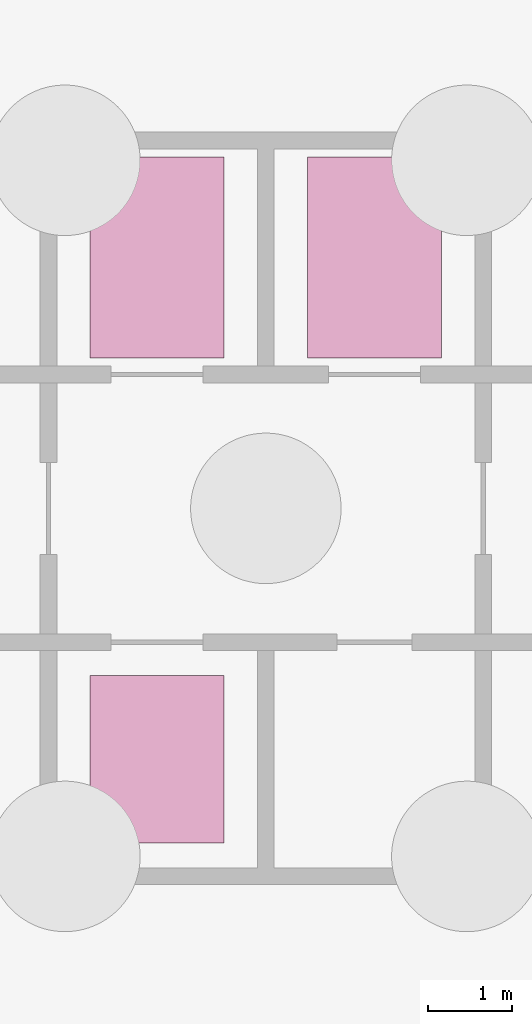
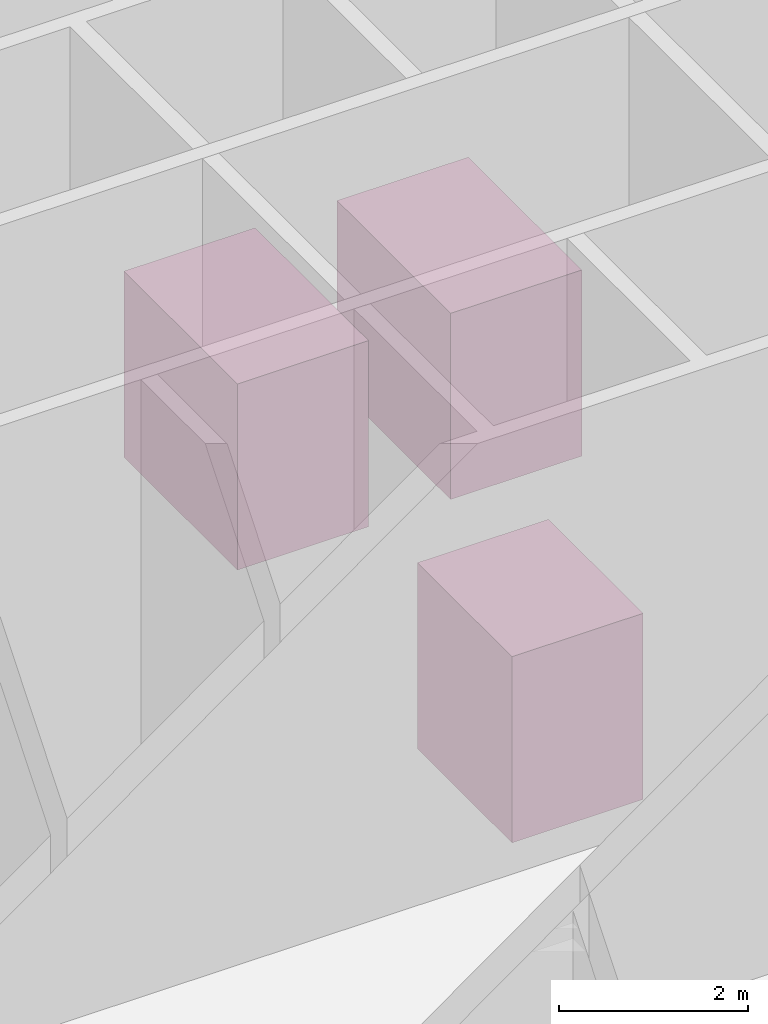
# One storey, part 12 of 12: 3 transport elements.
"""IFC4 building model written with IfcOpenShell, lengths in metres."""

from ifc_helpers import new_model, si_unit, direction, frame, origin, origin_2d, place, context, subcontext, project, spatial, rectangle, extrude, material, type_object, element, save


model = new_model("IFC4")

# Units and contexts
model_context = context("Model", 3, precision=1e-05, world=origin(), true_north=direction((0.0, 1.0)))
body_context = subcontext(model_context, "Body", "Model", "MODEL_VIEW")
ifc_project = project(units=[si_unit("LENGTHUNIT", "METRE"), si_unit("AREAUNIT", "SQUARE_METRE"), si_unit("VOLUMEUNIT", "CUBIC_METRE"), si_unit("PLANEANGLEUNIT", "RADIAN"), si_unit("MASSUNIT", "GRAM", prefix="KILO")], contexts=[model_context])

# Site, building, storey
site_placement = place(None, origin())
site = spatial("IfcSite", under=ifc_project, at=site_placement, CompositionType="ELEMENT")
building_placement = place(site_placement, origin())
building = spatial("IfcBuilding", under=site, at=building_placement, Name="Corvane Civic Tower", CompositionType="ELEMENT")
storey_placement = place(building_placement, frame((0.0, 0.0, -6.0)))
storey = spatial("IfcBuildingStorey", under=building, at=storey_placement, Name="B1", CompositionType="ELEMENT", Elevation=-6.0)

# Transport elements
ifc_material_1 = material(Name="Stainless steel 316 car", Category="steel")
transport_element_type_1 = type_object("IfcTransportElementType", Name="LIFT-CAR-1600X2000", PredefinedType="ELEVATOR", material=ifc_material_1)
transport_element_placement = place(storey_placement, frame((-1.300048828125, -3.0, 0.0), z_axis=(0.0, 0.0, 1.0), x_axis=(1.0, 0.0, 0.0)))
element("IfcTransportElement", 1, at=transport_element_placement, inside=storey, type_object=transport_element_type_1, Name="Service lift SL1", PredefinedType="ELEVATOR", context=body_context, shape_type="SweptSolid", body=[
    extrude(rectangle(XDim=1.60009765625, YDim=2.0, at=origin_2d()), origin(), (0.0, 0.0, 1.0), 2.39990234375),
])
ifc_material_2 = material(Name="Stainless steel 316 car", Category="steel")
transport_element_type_2 = type_object("IfcTransportElementType", Name="LIFT-CAR-1600X2400", PredefinedType="ELEVATOR", material=ifc_material_2)
for number, where, z_axis, x_axis, name in (
    (2, (-1.300048828125, 3.0, 0.0), (0.0, 0.0, 1.0), (1.0, 0.0, 0.0), "Firefighting lift 1"),
    (3, (1.300048828125, 3.0, 0.0), (0.0, 0.0, 1.0), (1.0, 0.0, 0.0), "Firefighting lift 2"),
):
    element("IfcTransportElement", number, at=place(storey_placement, frame(where, z_axis=z_axis, x_axis=x_axis)), inside=storey, type_object=transport_element_type_2, Name=name, PredefinedType="ELEVATOR", context=body_context, shape_type="SweptSolid", body=[
        extrude(rectangle(XDim=1.60009765625, YDim=2.39990234375, at=origin_2d()), origin(), (0.0, 0.0, 1.0), 2.39990234375),
    ])

save(model, "model.ifc")
